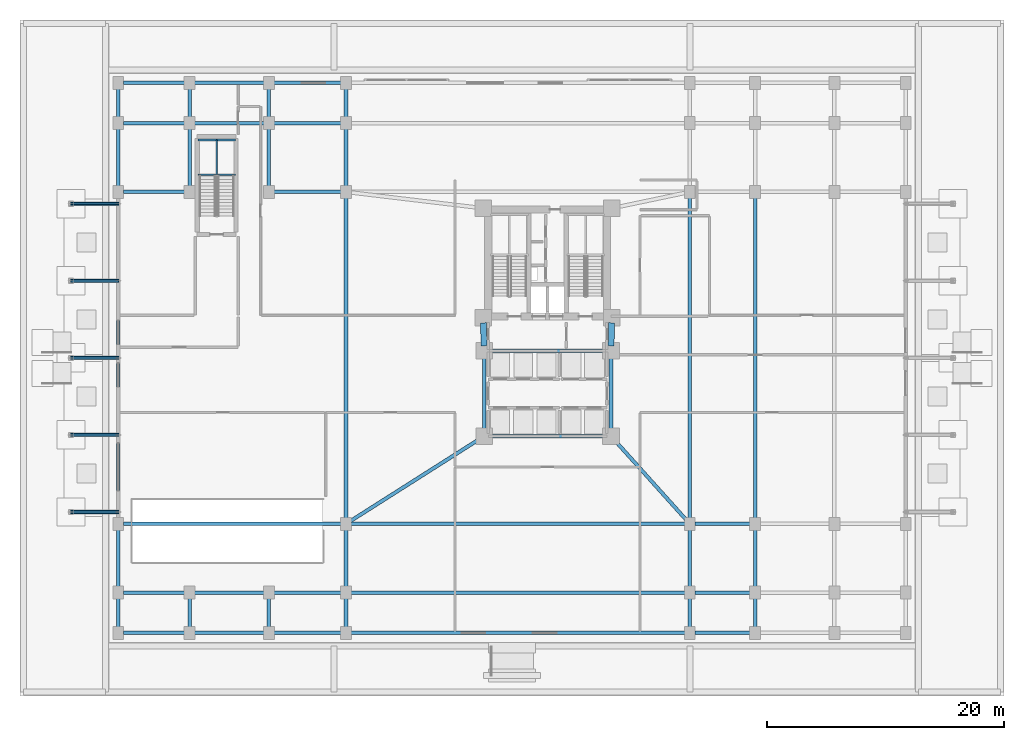
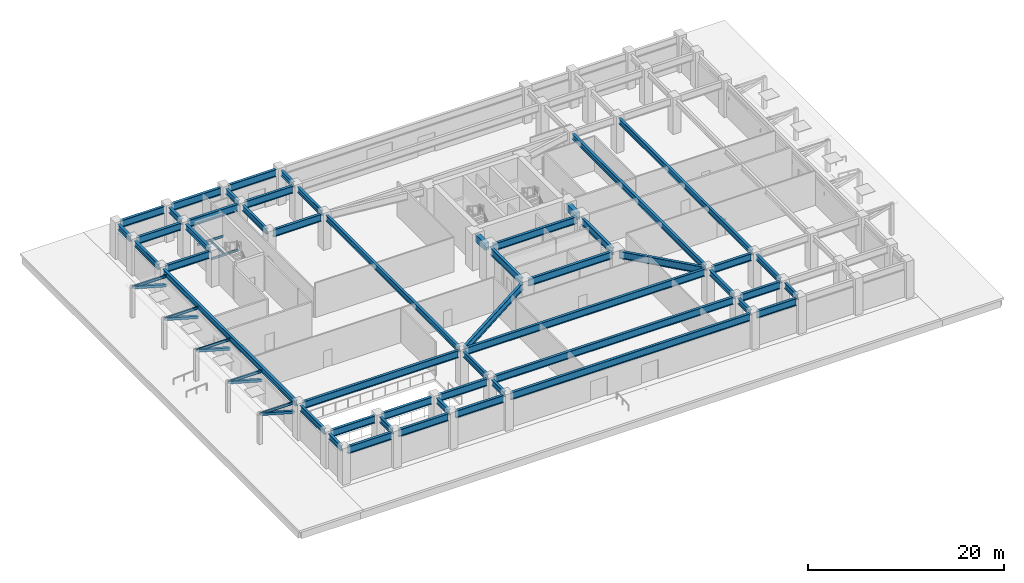
# One storey, part 6 of 23: 59 beams, 5 members.
"""IFC4 building model written with IfcOpenShell, lengths in metres."""

from ifc_helpers import new_model, si_unit, direction, frame, origin, origin_2d, place, context, subcontext, project, spatial, rectangle, hollow_rectangle, i_section, extrude, material, material_profile, profile_set, type_object, element, save


model = new_model("IFC4")

# Units and contexts
model_context = context("Model", 3, precision=1e-05, world=origin(), true_north=direction((0.0, 1.0)))
body_context = subcontext(model_context, "Body", "Model", "MODEL_VIEW")
ifc_project = project(units=[si_unit("LENGTHUNIT", "METRE"), si_unit("AREAUNIT", "SQUARE_METRE"), si_unit("VOLUMEUNIT", "CUBIC_METRE"), si_unit("PLANEANGLEUNIT", "RADIAN"), si_unit("MASSUNIT", "GRAM", prefix="KILO")], contexts=[model_context])

# Site, building, storey
site_placement = place(None, origin())
site = spatial("IfcSite", under=ifc_project, at=site_placement, CompositionType="ELEMENT")
building_placement = place(site_placement, origin())
building = spatial("IfcBuilding", under=site, at=building_placement, Name="Varnakorn Sky Granary", CompositionType="ELEMENT")
storey_placement = place(building_placement, origin())
storey = spatial("IfcBuildingStorey", under=building, at=storey_placement, Name="L00", CompositionType="ELEMENT", Elevation=0.0)

# Beams
ifc_material_1 = material(Name="Concrete C60/75", Category="concrete")
ifc_material_profile_1 = material_profile(ifc_material_1, rectangle(XDim=0.5, YDim=0.89990234375, at=origin_2d()), Name="RC 500x900")
ifc_profile_set_1 = profile_set([ifc_material_profile_1], Name="Concrete C60/75")
beam_type_1 = type_object("IfcBeamType", Name="BM-LIN-900", PredefinedType="LINTEL", material=ifc_profile_set_1)
for number, where, z_axis, x_axis, name in (
    (1, (-2.409423828125, 2.960205078125, 3.830078125), (0.025158763514, -0.999683468213, 0.0), (0.999683468213, 0.025158763514, 0.0), "Core Spine Beam 1 L00"),
    (2, (8.409423828125, 2.960205078125, 3.830078125), (-0.025158763514, -0.999683468213, 0.0), (0.999683468213, -0.025158763514, 0.0), "Core Spine Beam 2 L00"),
):
    element("IfcBeam", number, at=place(storey_placement, frame(where, z_axis=z_axis, x_axis=x_axis)), inside=storey, type_object=beam_type_1, Name=name, PredefinedType="LINTEL", context=body_context, shape_type="SweptSolid", body=[
        extrude(rectangle(XDim=0.5, YDim=0.89990234375, at=origin_2d()), origin(), (0.0, 0.0, 1.0), 1.94091796875),
    ])
ifc_material_2 = material(Name="Steel S355JR", Category="steel")
ifc_material_profile_2 = material_profile(ifc_material_2, i_section(OverallWidth=0.135009765625, OverallDepth=0.27001953125, WebThickness=0.006591796875, FlangeThickness=0.01025390625, at=origin_2d()), Name="IPE 270")
ifc_profile_set_2 = profile_set([ifc_material_profile_2], Name="Steel S355JR")
beam_type_2 = type_object("IfcBeamType", Name="BM-LND-270", PredefinedType="BEAM", material=ifc_profile_set_2)
for number, where, z_axis, x_axis, name in (
    (3, (-26.5, 15.4599609375, 1.965087890625), (1.0, 0.0, 0.0), (0.0, 1.0, 0.0), "Stair ST-B3 Landing Trimmer Beam A L00-1"),
    (4, (-26.5, 18.3798828125, 1.965087890625), (1.0, 0.0, 0.0), (0.0, 1.0, 0.0), "Stair ST-B3 Landing Trimmer Beam B L00-1"),
):
    element("IfcBeam", number, at=place(storey_placement, frame(where, z_axis=z_axis, x_axis=x_axis)), inside=storey, type_object=beam_type_2, Name=name, PredefinedType="BEAM", context=body_context, shape_type="SweptSolid", body=[
        extrude(i_section(OverallWidth=0.135009765625, OverallDepth=0.27001953125, WebThickness=0.006591796875, FlangeThickness=0.01025390625, at=origin_2d()), origin(), (0.0, 0.0, 1.0), 3.179931640625),
    ])
beam_1_placement = place(storey_placement, frame((-24.909912109375, 15.4599609375, 1.965087890625), z_axis=(0.0, 1.0, 0.0), x_axis=(-1.0, 0.0, 0.0)))
element("IfcBeam", 5, at=beam_1_placement, inside=storey, type_object=beam_type_2, Name="Stair ST-B3 Landing Cross Beam C L00-1", PredefinedType="BEAM", context=body_context, shape_type="SweptSolid", body=[
    extrude(i_section(OverallWidth=0.135009765625, OverallDepth=0.27001953125, WebThickness=0.006591796875, FlangeThickness=0.01025390625, at=origin_2d()), origin(), (0.0, 0.0, 1.0), 2.919921875),
])
ifc_material_profile_3 = material_profile(ifc_material_2, i_section(OverallWidth=0.300048828125, OverallDepth=0.699951171875, WebThickness=0.01708984375, FlangeThickness=0.031982421875, at=origin_2d()), Name="HE 700 B")
ifc_profile_set_3 = profile_set([ifc_material_profile_3], Name="Steel S355JR")
beam_type_3 = type_object("IfcBeamType", Name="BM-PG-700", PredefinedType="T_BEAM", material=ifc_profile_set_3)
beam_2_placement = place(storey_placement, frame((-33.199951171875, -22.780029296875, 3.929931640625), z_axis=(0.0, 1.0, 0.0), x_axis=(-1.0, 0.0, 0.0)))
element("IfcBeam", 6, at=beam_2_placement, inside=storey, type_object=beam_type_3, Name="Podium Y-Girder GY40 L00", PredefinedType="T_BEAM", context=body_context, shape_type="SweptSolid", body=[
    extrude(i_section(OverallWidth=0.300048828125, OverallDepth=0.699951171875, WebThickness=0.01708984375, FlangeThickness=0.031982421875, at=origin_2d()), origin(), (0.0, 0.0, 1.0), 2.56005859375),
])
beam_3_placement = place(storey_placement, frame((-33.199951171875, -19.3798828125, 3.929931640625), z_axis=(0.0, 1.0, 0.0), x_axis=(-1.0, 0.0, 0.0)))
element("IfcBeam", 7, at=beam_3_placement, inside=storey, type_object=beam_type_3, Name="Podium Y-Girder GY41 L00", PredefinedType="T_BEAM", context=body_context, shape_type="SweptSolid", body=[
    extrude(i_section(OverallWidth=0.300048828125, OverallDepth=0.699951171875, WebThickness=0.01708984375, FlangeThickness=0.031982421875, at=origin_2d()), origin(), (0.0, 0.0, 1.0), 4.9599609375),
])
beam_4_placement = place(storey_placement, frame((-33.199951171875, -13.580078125, 3.929931640625), z_axis=(0.0, 1.0, 0.0), x_axis=(-1.0, 0.0, 0.0)))
element("IfcBeam", 8, at=beam_4_placement, inside=storey, type_object=beam_type_3, Name="Podium Y-Girder GY42 L00", PredefinedType="T_BEAM", context=body_context, shape_type="SweptSolid", body=[
    extrude(i_section(OverallWidth=0.300048828125, OverallDepth=0.699951171875, WebThickness=0.01708984375, FlangeThickness=0.031982421875, at=origin_2d()), origin(), (0.0, 0.0, 1.0), 27.16015625),
])
beam_5_placement = place(storey_placement, frame((-33.199951171875, 14.419921875, 3.929931640625), z_axis=(0.0, 1.0, 0.0), x_axis=(-1.0, 0.0, 0.0)))
element("IfcBeam", 9, at=beam_5_placement, inside=storey, type_object=beam_type_3, Name="Podium Y-Girder GY43 L00", PredefinedType="T_BEAM", context=body_context, shape_type="SweptSolid", body=[
    extrude(i_section(OverallWidth=0.300048828125, OverallDepth=0.699951171875, WebThickness=0.01708984375, FlangeThickness=0.031982421875, at=origin_2d()), origin(), (0.0, 0.0, 1.0), 4.9599609375),
])
for number, where, z_axis, x_axis, name in (
    (10, (-33.199951171875, 20.219970703125, 3.929931640625), (0.0, 1.0, 0.0), (-1.0, 0.0, 0.0), "Podium Y-Girder GY44 L00"),
    (11, (-27.199951171875, -22.780029296875, 3.929931640625), (0.0, 1.0, 0.0), (-1.0, 0.0, 0.0), "Podium Y-Girder GY45 L00"),
):
    element("IfcBeam", number, at=place(storey_placement, frame(where, z_axis=z_axis, x_axis=x_axis)), inside=storey, type_object=beam_type_3, Name=name, PredefinedType="T_BEAM", context=body_context, shape_type="SweptSolid", body=[
        extrude(i_section(OverallWidth=0.300048828125, OverallDepth=0.699951171875, WebThickness=0.01708984375, FlangeThickness=0.031982421875, at=origin_2d()), origin(), (0.0, 0.0, 1.0), 2.56005859375),
    ])
beam_6_placement = place(storey_placement, frame((-27.199951171875, 14.419921875, 3.929931640625), z_axis=(0.0, 1.0, 0.0), x_axis=(-1.0, 0.0, 0.0)))
element("IfcBeam", 12, at=beam_6_placement, inside=storey, type_object=beam_type_3, Name="Podium Y-Girder GY46 L00", PredefinedType="T_BEAM", context=body_context, shape_type="SweptSolid", body=[
    extrude(i_section(OverallWidth=0.300048828125, OverallDepth=0.699951171875, WebThickness=0.01708984375, FlangeThickness=0.031982421875, at=origin_2d()), origin(), (0.0, 0.0, 1.0), 4.9599609375),
])
for number, where, z_axis, x_axis, name in (
    (13, (-27.199951171875, 20.219970703125, 3.929931640625), (0.0, 1.0, 0.0), (-1.0, 0.0, 0.0), "Podium Y-Girder GY47 L00"),
    (14, (-20.5, -22.780029296875, 3.929931640625), (0.0, 1.0, 0.0), (-1.0, 0.0, 0.0), "Podium Y-Girder GY48 L00"),
):
    element("IfcBeam", number, at=place(storey_placement, frame(where, z_axis=z_axis, x_axis=x_axis)), inside=storey, type_object=beam_type_3, Name=name, PredefinedType="T_BEAM", context=body_context, shape_type="SweptSolid", body=[
        extrude(i_section(OverallWidth=0.300048828125, OverallDepth=0.699951171875, WebThickness=0.01708984375, FlangeThickness=0.031982421875, at=origin_2d()), origin(), (0.0, 0.0, 1.0), 2.56005859375),
    ])
beam_7_placement = place(storey_placement, frame((-20.5, 14.419921875, 3.929931640625), z_axis=(0.0, 1.0, 0.0), x_axis=(-1.0, 0.0, 0.0)))
element("IfcBeam", 15, at=beam_7_placement, inside=storey, type_object=beam_type_3, Name="Podium Y-Girder GY49 L00", PredefinedType="T_BEAM", context=body_context, shape_type="SweptSolid", body=[
    extrude(i_section(OverallWidth=0.300048828125, OverallDepth=0.699951171875, WebThickness=0.01708984375, FlangeThickness=0.031982421875, at=origin_2d()), origin(), (0.0, 0.0, 1.0), 4.9599609375),
])
for number, where, z_axis, x_axis, name in (
    (16, (-20.5, 20.219970703125, 3.929931640625), (0.0, 1.0, 0.0), (-1.0, 0.0, 0.0), "Podium Y-Girder GY50 L00"),
    (17, (-14.0, -22.780029296875, 3.929931640625), (0.0, 1.0, 0.0), (-1.0, 0.0, 0.0), "Podium Y-Girder GY51 L00"),
):
    element("IfcBeam", number, at=place(storey_placement, frame(where, z_axis=z_axis, x_axis=x_axis)), inside=storey, type_object=beam_type_3, Name=name, PredefinedType="T_BEAM", context=body_context, shape_type="SweptSolid", body=[
        extrude(i_section(OverallWidth=0.300048828125, OverallDepth=0.699951171875, WebThickness=0.01708984375, FlangeThickness=0.031982421875, at=origin_2d()), origin(), (0.0, 0.0, 1.0), 2.56005859375),
    ])
beam_8_placement = place(storey_placement, frame((-14.0, -19.3798828125, 3.929931640625), z_axis=(0.0, 1.0, 0.0), x_axis=(-1.0, 0.0, 0.0)))
element("IfcBeam", 18, at=beam_8_placement, inside=storey, type_object=beam_type_3, Name="Podium Y-Girder GY52 L00", PredefinedType="T_BEAM", context=body_context, shape_type="SweptSolid", body=[
    extrude(i_section(OverallWidth=0.300048828125, OverallDepth=0.699951171875, WebThickness=0.01708984375, FlangeThickness=0.031982421875, at=origin_2d()), origin(), (0.0, 0.0, 1.0), 4.9599609375),
])
beam_9_placement = place(storey_placement, frame((-14.0, -13.580078125, 3.929931640625), z_axis=(0.0, 1.0, 0.0), x_axis=(-1.0, 0.0, 0.0)))
element("IfcBeam", 19, at=beam_9_placement, inside=storey, type_object=beam_type_3, Name="Podium Y-Girder GY53 L00", PredefinedType="T_BEAM", context=body_context, shape_type="SweptSolid", body=[
    extrude(i_section(OverallWidth=0.300048828125, OverallDepth=0.699951171875, WebThickness=0.01708984375, FlangeThickness=0.031982421875, at=origin_2d()), origin(), (0.0, 0.0, 1.0), 27.16015625),
])
beam_10_placement = place(storey_placement, frame((-14.0, 14.419921875, 3.929931640625), z_axis=(0.0, 1.0, 0.0), x_axis=(-1.0, 0.0, 0.0)))
element("IfcBeam", 20, at=beam_10_placement, inside=storey, type_object=beam_type_3, Name="Podium Y-Girder GY54 L00", PredefinedType="T_BEAM", context=body_context, shape_type="SweptSolid", body=[
    extrude(i_section(OverallWidth=0.300048828125, OverallDepth=0.699951171875, WebThickness=0.01708984375, FlangeThickness=0.031982421875, at=origin_2d()), origin(), (0.0, 0.0, 1.0), 4.9599609375),
])
for number, where, z_axis, x_axis, name in (
    (21, (-14.0, 20.219970703125, 3.929931640625), (0.0, 1.0, 0.0), (-1.0, 0.0, 0.0), "Podium Y-Girder GY55 L00"),
    (22, (15.0, -22.780029296875, 3.929931640625), (0.0, 1.0, 0.0), (-1.0, 0.0, 0.0), "Podium Y-Girder GY56 L00"),
):
    element("IfcBeam", number, at=place(storey_placement, frame(where, z_axis=z_axis, x_axis=x_axis)), inside=storey, type_object=beam_type_3, Name=name, PredefinedType="T_BEAM", context=body_context, shape_type="SweptSolid", body=[
        extrude(i_section(OverallWidth=0.300048828125, OverallDepth=0.699951171875, WebThickness=0.01708984375, FlangeThickness=0.031982421875, at=origin_2d()), origin(), (0.0, 0.0, 1.0), 2.56005859375),
    ])
beam_11_placement = place(storey_placement, frame((15.0, -19.3798828125, 3.929931640625), z_axis=(0.0, 1.0, 0.0), x_axis=(-1.0, 0.0, 0.0)))
element("IfcBeam", 23, at=beam_11_placement, inside=storey, type_object=beam_type_3, Name="Podium Y-Girder GY57 L00", PredefinedType="T_BEAM", context=body_context, shape_type="SweptSolid", body=[
    extrude(i_section(OverallWidth=0.300048828125, OverallDepth=0.699951171875, WebThickness=0.01708984375, FlangeThickness=0.031982421875, at=origin_2d()), origin(), (0.0, 0.0, 1.0), 4.9599609375),
])
beam_12_placement = place(storey_placement, frame((15.0, -13.580078125, 3.929931640625), z_axis=(0.0, 1.0, 0.0), x_axis=(-1.0, 0.0, 0.0)))
element("IfcBeam", 24, at=beam_12_placement, inside=storey, type_object=beam_type_3, Name="Podium Y-Girder GY58 L00", PredefinedType="T_BEAM", context=body_context, shape_type="SweptSolid", body=[
    extrude(i_section(OverallWidth=0.300048828125, OverallDepth=0.699951171875, WebThickness=0.01708984375, FlangeThickness=0.031982421875, at=origin_2d()), origin(), (0.0, 0.0, 1.0), 27.16015625),
])
beam_13_placement = place(storey_placement, frame((20.5, -22.780029296875, 3.929931640625), z_axis=(0.0, 1.0, 0.0), x_axis=(-1.0, 0.0, 0.0)))
element("IfcBeam", 25, at=beam_13_placement, inside=storey, type_object=beam_type_3, Name="Podium Y-Girder GY61 L00", PredefinedType="T_BEAM", context=body_context, shape_type="SweptSolid", body=[
    extrude(i_section(OverallWidth=0.300048828125, OverallDepth=0.699951171875, WebThickness=0.01708984375, FlangeThickness=0.031982421875, at=origin_2d()), origin(), (0.0, 0.0, 1.0), 2.56005859375),
])
beam_14_placement = place(storey_placement, frame((20.5, -19.3798828125, 3.929931640625), z_axis=(0.0, 1.0, 0.0), x_axis=(-1.0, 0.0, 0.0)))
element("IfcBeam", 26, at=beam_14_placement, inside=storey, type_object=beam_type_3, Name="Podium Y-Girder GY62 L00", PredefinedType="T_BEAM", context=body_context, shape_type="SweptSolid", body=[
    extrude(i_section(OverallWidth=0.300048828125, OverallDepth=0.699951171875, WebThickness=0.01708984375, FlangeThickness=0.031982421875, at=origin_2d()), origin(), (0.0, 0.0, 1.0), 4.9599609375),
])
beam_15_placement = place(storey_placement, frame((20.5, -13.580078125, 3.929931640625), z_axis=(0.0, 1.0, 0.0), x_axis=(-1.0, 0.0, 0.0)))
element("IfcBeam", 27, at=beam_15_placement, inside=storey, type_object=beam_type_3, Name="Podium Y-Girder GY63 L00", PredefinedType="T_BEAM", context=body_context, shape_type="SweptSolid", body=[
    extrude(i_section(OverallWidth=0.300048828125, OverallDepth=0.699951171875, WebThickness=0.01708984375, FlangeThickness=0.031982421875, at=origin_2d()), origin(), (0.0, 0.0, 1.0), 27.16015625),
])
ifc_material_profile_4 = material_profile(ifc_material_2, i_section(OverallWidth=0.300048828125, OverallDepth=0.89990234375, WebThickness=0.0185546875, FlangeThickness=0.034912109375, at=origin_2d()), Name="HE 900 B")
ifc_profile_set_4 = profile_set([ifc_material_profile_4], Name="Steel S355JR")
beam_type_4 = type_object("IfcBeamType", Name="BM-PG-900", PredefinedType="BEAM", material=ifc_profile_set_4)
beam_16_placement = place(storey_placement, frame((-32.780029296875, -23.199951171875, 3.830078125), z_axis=(1.0, 0.0, 0.0), x_axis=(0.0, 1.0, 0.0)))
element("IfcBeam", 28, at=beam_16_placement, inside=storey, type_object=beam_type_4, Name="Podium X-Girder GX01 L00", PredefinedType="BEAM", context=body_context, shape_type="SweptSolid", body=[
    extrude(i_section(OverallWidth=0.300048828125, OverallDepth=0.89990234375, WebThickness=0.0185546875, FlangeThickness=0.034912109375, at=origin_2d()), origin(), (0.0, 0.0, 1.0), 5.159912109375),
])
beam_17_placement = place(storey_placement, frame((-26.780029296875, -23.199951171875, 3.830078125), z_axis=(1.0, 0.0, 0.0), x_axis=(0.0, 1.0, 0.0)))
element("IfcBeam", 29, at=beam_17_placement, inside=storey, type_object=beam_type_4, Name="Podium X-Girder GX02 L00", PredefinedType="BEAM", context=body_context, shape_type="SweptSolid", body=[
    extrude(i_section(OverallWidth=0.300048828125, OverallDepth=0.89990234375, WebThickness=0.0185546875, FlangeThickness=0.034912109375, at=origin_2d()), origin(), (0.0, 0.0, 1.0), 5.860107421875),
])
beam_18_placement = place(storey_placement, frame((-20.080078125, -23.199951171875, 3.830078125), z_axis=(1.0, 0.0, 0.0), x_axis=(0.0, 1.0, 0.0)))
element("IfcBeam", 30, at=beam_18_placement, inside=storey, type_object=beam_type_4, Name="Podium X-Girder GX03 L00", PredefinedType="BEAM", context=body_context, shape_type="SweptSolid", body=[
    extrude(i_section(OverallWidth=0.300048828125, OverallDepth=0.89990234375, WebThickness=0.0185546875, FlangeThickness=0.034912109375, at=origin_2d()), origin(), (0.0, 0.0, 1.0), 5.66015625),
])
beam_19_placement = place(storey_placement, frame((-13.580078125, -23.199951171875, 3.830078125), z_axis=(1.0, 0.0, 0.0), x_axis=(0.0, 1.0, 0.0)))
element("IfcBeam", 31, at=beam_19_placement, inside=storey, type_object=beam_type_4, Name="Podium X-Girder GX04 L00", PredefinedType="BEAM", context=body_context, shape_type="SweptSolid", body=[
    extrude(i_section(OverallWidth=0.300048828125, OverallDepth=0.89990234375, WebThickness=0.0185546875, FlangeThickness=0.034912109375, at=origin_2d()), origin(), (0.0, 0.0, 1.0), 28.16015625),
])
beam_20_placement = place(storey_placement, frame((15.419921875, -23.199951171875, 3.830078125), z_axis=(1.0, 0.0, 0.0), x_axis=(0.0, 1.0, 0.0)))
element("IfcBeam", 32, at=beam_20_placement, inside=storey, type_object=beam_type_4, Name="Podium X-Girder GX05 L00", PredefinedType="BEAM", context=body_context, shape_type="SweptSolid", body=[
    extrude(i_section(OverallWidth=0.300048828125, OverallDepth=0.89990234375, WebThickness=0.0185546875, FlangeThickness=0.034912109375, at=origin_2d()), origin(), (0.0, 0.0, 1.0), 4.66015625),
])
beam_21_placement = place(storey_placement, frame((-32.780029296875, -19.800048828125, 3.830078125), z_axis=(1.0, 0.0, 0.0), x_axis=(0.0, 1.0, 0.0)))
element("IfcBeam", 33, at=beam_21_placement, inside=storey, type_object=beam_type_4, Name="Podium X-Girder GX08 L00", PredefinedType="BEAM", context=body_context, shape_type="SweptSolid", body=[
    extrude(i_section(OverallWidth=0.300048828125, OverallDepth=0.89990234375, WebThickness=0.0185546875, FlangeThickness=0.034912109375, at=origin_2d()), origin(), (0.0, 0.0, 1.0), 5.159912109375),
])
beam_22_placement = place(storey_placement, frame((-26.780029296875, -19.800048828125, 3.830078125), z_axis=(1.0, 0.0, 0.0), x_axis=(0.0, 1.0, 0.0)))
element("IfcBeam", 34, at=beam_22_placement, inside=storey, type_object=beam_type_4, Name="Podium X-Girder GX09 L00", PredefinedType="BEAM", context=body_context, shape_type="SweptSolid", body=[
    extrude(i_section(OverallWidth=0.300048828125, OverallDepth=0.89990234375, WebThickness=0.0185546875, FlangeThickness=0.034912109375, at=origin_2d()), origin(), (0.0, 0.0, 1.0), 5.860107421875),
])
beam_23_placement = place(storey_placement, frame((-20.080078125, -19.800048828125, 3.830078125), z_axis=(1.0, 0.0, 0.0), x_axis=(0.0, 1.0, 0.0)))
element("IfcBeam", 35, at=beam_23_placement, inside=storey, type_object=beam_type_4, Name="Podium X-Girder GX10 L00", PredefinedType="BEAM", context=body_context, shape_type="SweptSolid", body=[
    extrude(i_section(OverallWidth=0.300048828125, OverallDepth=0.89990234375, WebThickness=0.0185546875, FlangeThickness=0.034912109375, at=origin_2d()), origin(), (0.0, 0.0, 1.0), 5.66015625),
])
beam_24_placement = place(storey_placement, frame((-13.580078125, -19.800048828125, 3.830078125), z_axis=(1.0, 0.0, 0.0), x_axis=(0.0, 1.0, 0.0)))
element("IfcBeam", 36, at=beam_24_placement, inside=storey, type_object=beam_type_4, Name="Podium X-Girder GX11 L00", PredefinedType="BEAM", context=body_context, shape_type="SweptSolid", body=[
    extrude(i_section(OverallWidth=0.300048828125, OverallDepth=0.89990234375, WebThickness=0.0185546875, FlangeThickness=0.034912109375, at=origin_2d()), origin(), (0.0, 0.0, 1.0), 28.16015625),
])
beam_25_placement = place(storey_placement, frame((15.419921875, -19.800048828125, 3.830078125), z_axis=(1.0, 0.0, 0.0), x_axis=(0.0, 1.0, 0.0)))
element("IfcBeam", 37, at=beam_25_placement, inside=storey, type_object=beam_type_4, Name="Podium X-Girder GX12 L00", PredefinedType="BEAM", context=body_context, shape_type="SweptSolid", body=[
    extrude(i_section(OverallWidth=0.300048828125, OverallDepth=0.89990234375, WebThickness=0.0185546875, FlangeThickness=0.034912109375, at=origin_2d()), origin(), (0.0, 0.0, 1.0), 4.66015625),
])
beam_26_placement = place(storey_placement, frame((-32.780029296875, -14.0, 3.830078125), z_axis=(1.0, 0.0, 0.0), x_axis=(0.0, 1.0, 0.0)))
element("IfcBeam", 38, at=beam_26_placement, inside=storey, type_object=beam_type_4, Name="Podium X-Girder GX15 L00", PredefinedType="BEAM", context=body_context, shape_type="SweptSolid", body=[
    extrude(i_section(OverallWidth=0.300048828125, OverallDepth=0.89990234375, WebThickness=0.0185546875, FlangeThickness=0.034912109375, at=origin_2d()), origin(), (0.0, 0.0, 1.0), 18.360107421875),
])
beam_27_placement = place(storey_placement, frame((-13.580078125, -14.0, 3.830078125), z_axis=(1.0, 0.0, 0.0), x_axis=(0.0, 1.0, 0.0)))
element("IfcBeam", 39, at=beam_27_placement, inside=storey, type_object=beam_type_4, Name="Podium X-Girder GX16 L00", PredefinedType="BEAM", context=body_context, shape_type="SweptSolid", body=[
    extrude(i_section(OverallWidth=0.300048828125, OverallDepth=0.89990234375, WebThickness=0.0185546875, FlangeThickness=0.034912109375, at=origin_2d()), origin(), (0.0, 0.0, 1.0), 28.16015625),
])
beam_28_placement = place(storey_placement, frame((15.419921875, -14.0, 3.830078125), z_axis=(1.0, 0.0, 0.0), x_axis=(0.0, 1.0, 0.0)))
element("IfcBeam", 40, at=beam_28_placement, inside=storey, type_object=beam_type_4, Name="Podium X-Girder GX17 L00", PredefinedType="BEAM", context=body_context, shape_type="SweptSolid", body=[
    extrude(i_section(OverallWidth=0.300048828125, OverallDepth=0.89990234375, WebThickness=0.0185546875, FlangeThickness=0.034912109375, at=origin_2d()), origin(), (0.0, 0.0, 1.0), 4.66015625),
])
beam_29_placement = place(storey_placement, frame((-32.780029296875, 14.0, 3.830078125), z_axis=(1.0, 0.0, 0.0), x_axis=(0.0, 1.0, 0.0)))
element("IfcBeam", 41, at=beam_29_placement, inside=storey, type_object=beam_type_4, Name="Podium X-Girder GX20 L00", PredefinedType="BEAM", context=body_context, shape_type="SweptSolid", body=[
    extrude(i_section(OverallWidth=0.300048828125, OverallDepth=0.89990234375, WebThickness=0.0185546875, FlangeThickness=0.034912109375, at=origin_2d()), origin(), (0.0, 0.0, 1.0), 5.159912109375),
])
beam_30_placement = place(storey_placement, frame((-20.080078125, 14.0, 3.830078125), z_axis=(1.0, 0.0, 0.0), x_axis=(0.0, 1.0, 0.0)))
element("IfcBeam", 42, at=beam_30_placement, inside=storey, type_object=beam_type_4, Name="Podium X-Girder GX21 L00", PredefinedType="BEAM", context=body_context, shape_type="SweptSolid", body=[
    extrude(i_section(OverallWidth=0.300048828125, OverallDepth=0.89990234375, WebThickness=0.0185546875, FlangeThickness=0.034912109375, at=origin_2d()), origin(), (0.0, 0.0, 1.0), 5.66015625),
])
beam_31_placement = place(storey_placement, frame((-32.780029296875, 19.800048828125, 3.830078125), z_axis=(1.0, 0.0, 0.0), x_axis=(0.0, 1.0, 0.0)))
element("IfcBeam", 43, at=beam_31_placement, inside=storey, type_object=beam_type_4, Name="Podium X-Girder GX26 L00", PredefinedType="BEAM", context=body_context, shape_type="SweptSolid", body=[
    extrude(i_section(OverallWidth=0.300048828125, OverallDepth=0.89990234375, WebThickness=0.0185546875, FlangeThickness=0.034912109375, at=origin_2d()), origin(), (0.0, 0.0, 1.0), 5.159912109375),
])
beam_32_placement = place(storey_placement, frame((-26.780029296875, 19.800048828125, 3.830078125), z_axis=(1.0, 0.0, 0.0), x_axis=(0.0, 1.0, 0.0)))
element("IfcBeam", 44, at=beam_32_placement, inside=storey, type_object=beam_type_4, Name="Podium X-Girder GX27 L00", PredefinedType="BEAM", context=body_context, shape_type="SweptSolid", body=[
    extrude(i_section(OverallWidth=0.300048828125, OverallDepth=0.89990234375, WebThickness=0.0185546875, FlangeThickness=0.034912109375, at=origin_2d()), origin(), (0.0, 0.0, 1.0), 5.860107421875),
])
beam_33_placement = place(storey_placement, frame((-20.080078125, 19.800048828125, 3.830078125), z_axis=(1.0, 0.0, 0.0), x_axis=(0.0, 1.0, 0.0)))
element("IfcBeam", 45, at=beam_33_placement, inside=storey, type_object=beam_type_4, Name="Podium X-Girder GX28 L00", PredefinedType="BEAM", context=body_context, shape_type="SweptSolid", body=[
    extrude(i_section(OverallWidth=0.300048828125, OverallDepth=0.89990234375, WebThickness=0.0185546875, FlangeThickness=0.034912109375, at=origin_2d()), origin(), (0.0, 0.0, 1.0), 5.66015625),
])
beam_34_placement = place(storey_placement, frame((-32.780029296875, 23.199951171875, 3.830078125), z_axis=(1.0, 0.0, 0.0), x_axis=(0.0, 1.0, 0.0)))
element("IfcBeam", 46, at=beam_34_placement, inside=storey, type_object=beam_type_4, Name="Podium X-Girder GX33 L00", PredefinedType="BEAM", context=body_context, shape_type="SweptSolid", body=[
    extrude(i_section(OverallWidth=0.300048828125, OverallDepth=0.89990234375, WebThickness=0.0185546875, FlangeThickness=0.034912109375, at=origin_2d()), origin(), (0.0, 0.0, 1.0), 5.159912109375),
])
beam_35_placement = place(storey_placement, frame((-26.780029296875, 23.199951171875, 3.830078125), z_axis=(1.0, 0.0, 0.0), x_axis=(0.0, 1.0, 0.0)))
element("IfcBeam", 47, at=beam_35_placement, inside=storey, type_object=beam_type_4, Name="Podium X-Girder GX34 L00", PredefinedType="BEAM", context=body_context, shape_type="SweptSolid", body=[
    extrude(i_section(OverallWidth=0.300048828125, OverallDepth=0.89990234375, WebThickness=0.0185546875, FlangeThickness=0.034912109375, at=origin_2d()), origin(), (0.0, 0.0, 1.0), 5.860107421875),
])
beam_36_placement = place(storey_placement, frame((-20.080078125, 23.199951171875, 3.830078125), z_axis=(1.0, 0.0, 0.0), x_axis=(0.0, 1.0, 0.0)))
element("IfcBeam", 48, at=beam_36_placement, inside=storey, type_object=beam_type_4, Name="Podium X-Girder GX35 L00", PredefinedType="BEAM", context=body_context, shape_type="SweptSolid", body=[
    extrude(i_section(OverallWidth=0.300048828125, OverallDepth=0.89990234375, WebThickness=0.0185546875, FlangeThickness=0.034912109375, at=origin_2d()), origin(), (0.0, 0.0, 1.0), 5.66015625),
])
beam_37_placement = place(storey_placement, frame((-13.6455078125, -13.77490234375, 3.830078125), z_axis=(0.844104836764, 0.536178164933, 0.0), x_axis=(-0.536178164933, 0.844104836764, 0.0)))
element("IfcBeam", 49, at=beam_37_placement, inside=storey, type_object=beam_type_4, Name="Podium Core Tie Girder 2 L00", PredefinedType="BEAM", context=body_context, shape_type="SweptSolid", body=[
    extrude(i_section(OverallWidth=0.300048828125, OverallDepth=0.89990234375, WebThickness=0.0185546875, FlangeThickness=0.034912109375, at=origin_2d()), origin(), (0.0, 0.0, 1.0), 12.961669921875),
])
beam_38_placement = place(storey_placement, frame((14.71923828125, -13.6875, 3.830078125), z_axis=(-0.668418142949, 0.743785712538, 0.0), x_axis=(-0.743785712538, -0.668418142949, 0.0)))
element("IfcBeam", 50, at=beam_38_placement, inside=storey, type_object=beam_type_4, Name="Podium Core Tie Girder 4 L00", PredefinedType="BEAM", context=body_context, shape_type="SweptSolid", body=[
    extrude(i_section(OverallWidth=0.300048828125, OverallDepth=0.89990234375, WebThickness=0.0185546875, FlangeThickness=0.034912109375, at=origin_2d()), origin(), (0.0, 0.0, 1.0), 9.10888671875),
])
for number, where, z_axis, x_axis, name in (
    (51, (-2.35009765625, 0.179931640625, 3.830078125), (0.0, -1.0, 0.0), (1.0, 0.0, 0.0), "Core Spine Beam 3 L00"),
    (52, (8.35009765625, 0.179931640625, 3.830078125), (0.0, -1.0, 0.0), (1.0, 0.0, 0.0), "Core Spine Beam 4 L00"),
):
    element("IfcBeam", number, at=place(storey_placement, frame(where, z_axis=z_axis, x_axis=x_axis)), inside=storey, type_object=beam_type_4, Name=name, PredefinedType="BEAM", context=body_context, shape_type="SweptSolid", body=[
        extrude(i_section(OverallWidth=0.300048828125, OverallDepth=0.89990234375, WebThickness=0.0185546875, FlangeThickness=0.034912109375, at=origin_2d()), origin(), (0.0, 0.0, 1.0), 6.35986328125),
    ])
for number, where, z_axis, x_axis, name in (
    (53, (-1.929931640625, 0.60009765625, 3.830078125), (1.0, 0.0, 0.0), (0.0, 1.0, 0.0), "Core Spine Beam 5 L00"),
    (54, (-1.929931640625, -6.60009765625, 3.830078125), (1.0, 0.0, 0.0), (0.0, 1.0, 0.0), "Core Spine Beam 6 L00"),
):
    element("IfcBeam", number, at=place(storey_placement, frame(where, z_axis=z_axis, x_axis=x_axis)), inside=storey, type_object=beam_type_4, Name=name, PredefinedType="BEAM", context=body_context, shape_type="SweptSolid", body=[
        extrude(i_section(OverallWidth=0.300048828125, OverallDepth=0.89990234375, WebThickness=0.0185546875, FlangeThickness=0.034912109375, at=origin_2d()), origin(), (0.0, 0.0, 1.0), 9.85986328125),
    ])
ifc_material_profile_5 = material_profile(ifc_material_2, i_section(OverallWidth=0.159912109375, OverallDepth=0.330078125, WebThickness=0.007568359375, FlangeThickness=0.011474609375, at=origin_2d()), Name="IPE 330")
ifc_profile_set_5 = profile_set([ifc_material_profile_5], Name="Steel S355JR")
beam_type_5 = type_object("IfcBeamType", Name="BM-SEC-Z4", PredefinedType="BEAM", material=ifc_profile_set_5)
for number, where, z_axis, x_axis, name in (
    (55, (-37.199951171875, -13.0, 3.68505859375), (1.0, 0.0, 0.0), (0.0, 1.0, 0.0), "Plaza Canopy Tie Beam 1"),
    (56, (-37.199951171875, -6.5, 3.68505859375), (1.0, 0.0, 0.0), (0.0, 1.0, 0.0), "Plaza Canopy Tie Beam 2"),
    (57, (-37.199951171875, 0.0, 3.68505859375), (1.0, 0.0, 0.0), (0.0, 1.0, 0.0), "Plaza Canopy Tie Beam 3"),
    (58, (-37.199951171875, 6.5, 3.68505859375), (1.0, 0.0, 0.0), (0.0, 1.0, 0.0), "Plaza Canopy Tie Beam 4"),
    (59, (-37.199951171875, 13.0, 3.68505859375), (1.0, 0.0, 0.0), (0.0, 1.0, 0.0), "Plaza Canopy Tie Beam 5"),
):
    element("IfcBeam", number, at=place(storey_placement, frame(where, z_axis=z_axis, x_axis=x_axis)), inside=storey, type_object=beam_type_5, Name=name, PredefinedType="BEAM", context=body_context, shape_type="SweptSolid", body=[
        extrude(i_section(OverallWidth=0.159912109375, OverallDepth=0.330078125, WebThickness=0.007568359375, FlangeThickness=0.011474609375, at=origin_2d()), origin(), (0.0, 0.0, 1.0), 4.0),
    ])

# Members
ifc_material_profile_6 = material_profile(ifc_material_2, hollow_rectangle(XDim=0.300048828125, YDim=0.300048828125, WallThickness=0.01611328125, at=origin_2d()), Name="SHS 300x300x16")
ifc_profile_set_6 = profile_set([ifc_material_profile_6], Name="Steel S355JR")
member_type = type_object("IfcMemberType", Name="MB-CAN-300", PredefinedType="STRUT", material=ifc_profile_set_6)
for number, where, z_axis, x_axis, name in (
    (60, (-33.199951171875, -13.0, 2.550048828125), (-0.962020905777, 0.0, 0.272975780698), (0.0, -1.0, 0.0), "Plaza Canopy Raker Strut 1"),
    (61, (-33.199951171875, -6.5, 2.550048828125), (-0.962020905777, 0.0, 0.272975780698), (0.0, -1.0, 0.0), "Plaza Canopy Raker Strut 2"),
    (62, (-33.199951171875, 0.0, 2.550048828125), (-0.962020905777, 0.0, 0.272975780698), (0.0, -1.0, 0.0), "Plaza Canopy Raker Strut 3"),
    (63, (-33.199951171875, 6.5, 2.550048828125), (-0.962020905777, 0.0, 0.272975780698), (0.0, -1.0, 0.0), "Plaza Canopy Raker Strut 4"),
    (64, (-33.199951171875, 13.0, 2.550048828125), (-0.962020905777, 0.0, 0.272975780698), (0.0, -1.0, 0.0), "Plaza Canopy Raker Strut 5"),
):
    element("IfcMember", number, at=place(storey_placement, frame(where, z_axis=z_axis, x_axis=x_axis)), inside=storey, type_object=member_type, Name=name, PredefinedType="STRUT", context=body_context, shape_type="SweptSolid", body=[
        extrude(hollow_rectangle(XDim=0.300048828125, YDim=0.300048828125, WallThickness=0.01611328125, at=origin_2d()), origin(), (0.0, 0.0, 1.0), 4.157958984375),
    ])

save(model, "model.ifc")
